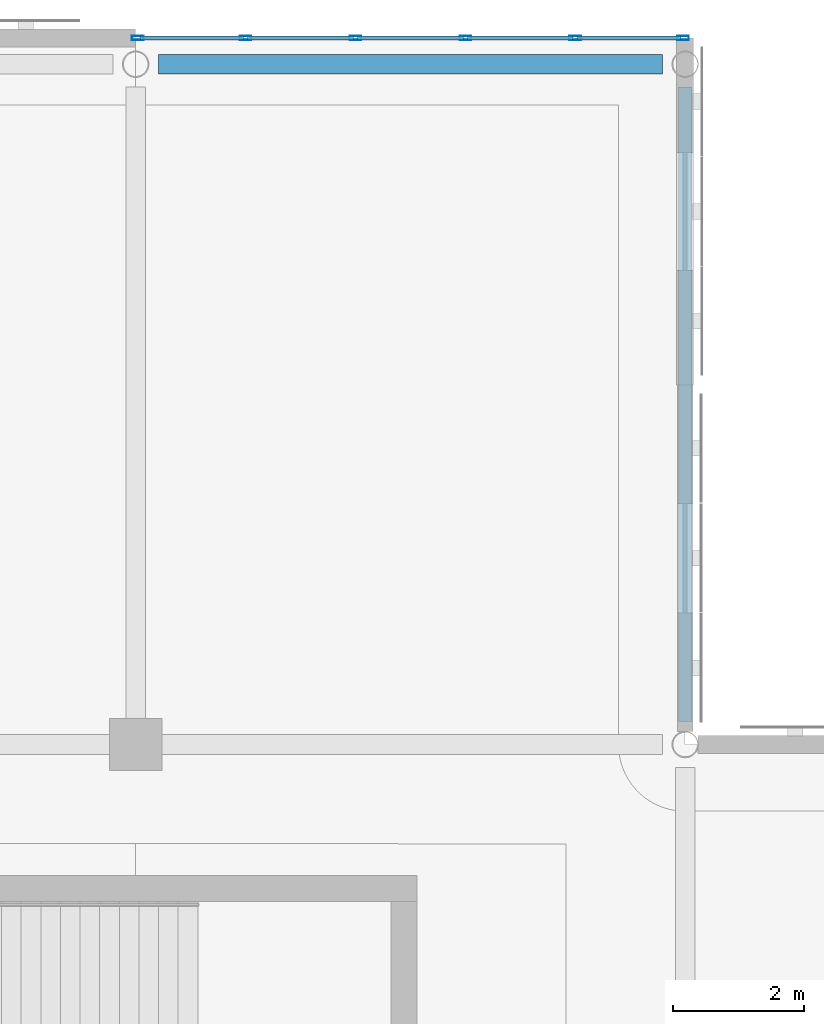
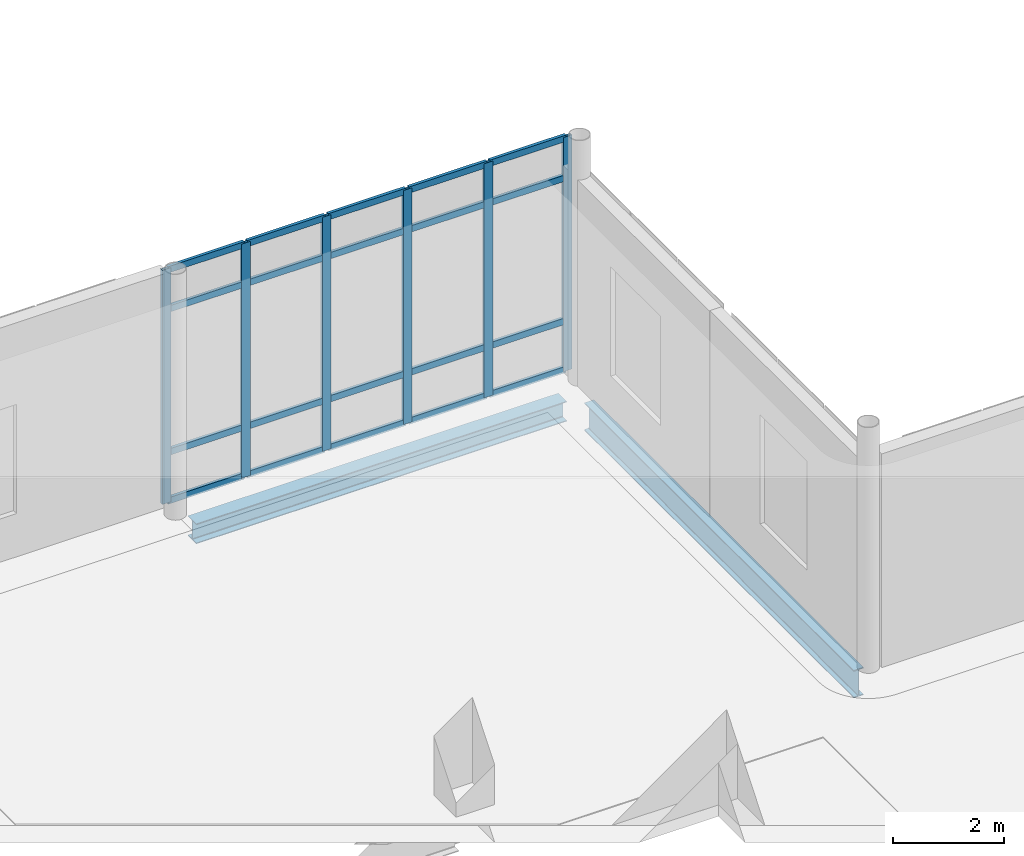
# One storey, part 32 of 110: 26 members, 2 beams, 1 element without a shape of its own.
"""IFC4 building model written with IfcOpenShell, lengths in metres."""

from ifc_helpers import new_model, si_unit, direction, frame, origin, origin_2d, place, context, subcontext, project, spatial, hollow_rectangle, i_section, extrude, material, layer, layer_set, material_profile, profile_set, type_object, element, aggregate, save


model = new_model("IFC4")

# Units and contexts
model_context = context("Model", 3, precision=1e-05, world=origin(), true_north=direction((0.0, 1.0)))
body_context = subcontext(model_context, "Body", "Model", "MODEL_VIEW")
ifc_project = project(units=[si_unit("LENGTHUNIT", "METRE"), si_unit("AREAUNIT", "SQUARE_METRE"), si_unit("VOLUMEUNIT", "CUBIC_METRE"), si_unit("PLANEANGLEUNIT", "RADIAN"), si_unit("MASSUNIT", "GRAM", prefix="KILO"), si_unit("THERMODYNAMICTEMPERATUREUNIT", "KELVIN")], contexts=[model_context])

# Site, building, storey
site_placement = place(None, origin())
site = spatial("IfcSite", under=ifc_project, at=site_placement, CompositionType="ELEMENT")
building_placement = place(site_placement, origin())
building = spatial("IfcBuilding", under=site, at=building_placement, Name="Lustrewick Department Store", CompositionType="ELEMENT")
storey_placement = place(building_placement, frame((0.0, 0.0, 6.0)))
storey = spatial("IfcBuildingStorey", under=building, at=storey_placement, Name="L02", CompositionType="ELEMENT", Elevation=6.0)

# Curtain wall, members
ifc_material_1 = material(Name="Thermally broken aluminium 6063-T5", Category="aluminium")
ifc_layer = layer(ifc_material_1, 0.179931640625, Name="Thermally broken aluminium 6063-T5")
ifc_layer_set = layer_set([ifc_layer], Name="Thermally broken aluminium 6063-T5")
curtain_wall_type = type_object("IfcCurtainWallType", Name="CW02", PredefinedType="NOTDEFINED", material=ifc_layer_set)
curtain_wall_placement = place(storey_placement, origin())
curtain_wall = element("IfcCurtainWall", 1, at=curtain_wall_placement, inside=storey, type_object=curtain_wall_type, Name="L02 V2 Curtain Wall CW02", PredefinedType="NOTDEFINED")
ifc_material_profile_1 = material_profile(ifc_material_1, hollow_rectangle(XDim=0.06494140625, YDim=0.179931640625, WallThickness=0.00390625, at=origin_2d()), Name="ALU-M 65x180x4")
ifc_profile_set_1 = profile_set([ifc_material_profile_1], Name="Thermally broken aluminium 6063-T5")
member_type_1 = type_object("IfcMemberType", Name="CW02-M1", PredefinedType="MULLION", material=ifc_profile_set_1)
member_1_placement = place(storey_placement, frame((92.367431640625, 111.60009765625, 0.0), z_axis=(0.0, 0.0, 1.0), x_axis=(0.0, -1.0, 0.0)))
member_1 = element("IfcMember", 2, at=member_1_placement, type_object=member_type_1, Name="CW02 mullion 1", PredefinedType="MULLION", context=body_context, shape_type="SweptSolid", body=[
    extrude(hollow_rectangle(XDim=0.06494140625, YDim=0.179931640625, WallThickness=0.00390625, at=origin_2d()), origin(), (0.0, 0.0, 1.0), 5.14501953125),
])
member_2_placement = place(storey_placement, frame((90.719970703125, 111.60009765625, 0.0), z_axis=(0.0, 0.0, 1.0), x_axis=(0.0, -1.0, 0.0)))
member_2 = element("IfcMember", 3, at=member_2_placement, type_object=member_type_1, Name="CW02 mullion 2", PredefinedType="MULLION", context=body_context, shape_type="SweptSolid", body=[
    extrude(hollow_rectangle(XDim=0.06494140625, YDim=0.179931640625, WallThickness=0.00390625, at=origin_2d()), origin(), (0.0, 0.0, 1.0), 5.14501953125),
])
member_3_placement = place(storey_placement, frame((89.0400390625, 111.60009765625, 0.0), z_axis=(0.0, 0.0, 1.0), x_axis=(0.0, -1.0, 0.0)))
member_3 = element("IfcMember", 4, at=member_3_placement, type_object=member_type_1, Name="CW02 mullion 3", PredefinedType="MULLION", context=body_context, shape_type="SweptSolid", body=[
    extrude(hollow_rectangle(XDim=0.06494140625, YDim=0.179931640625, WallThickness=0.00390625, at=origin_2d()), origin(), (0.0, 0.0, 1.0), 5.14501953125),
])
member_4_placement = place(storey_placement, frame((87.360107421875, 111.60009765625, 0.0), z_axis=(0.0, 0.0, 1.0), x_axis=(0.0, -1.0, 0.0)))
member_4 = element("IfcMember", 5, at=member_4_placement, type_object=member_type_1, Name="CW02 mullion 4", PredefinedType="MULLION", context=body_context, shape_type="SweptSolid", body=[
    extrude(hollow_rectangle(XDim=0.06494140625, YDim=0.179931640625, WallThickness=0.00390625, at=origin_2d()), origin(), (0.0, 0.0, 1.0), 5.14501953125),
])
member_5_placement = place(storey_placement, frame((85.679931640625, 111.60009765625, 0.0), z_axis=(0.0, 0.0, 1.0), x_axis=(0.0, -1.0, 0.0)))
member_5 = element("IfcMember", 6, at=member_5_placement, type_object=member_type_1, Name="CW02 mullion 5", PredefinedType="MULLION", context=body_context, shape_type="SweptSolid", body=[
    extrude(hollow_rectangle(XDim=0.06494140625, YDim=0.179931640625, WallThickness=0.00390625, at=origin_2d()), origin(), (0.0, 0.0, 1.0), 5.14501953125),
])
member_6_placement = place(storey_placement, frame((84.032470703125, 111.60009765625, 0.0), z_axis=(0.0, 0.0, 1.0), x_axis=(0.0, -1.0, 0.0)))
member_6 = element("IfcMember", 7, at=member_6_placement, type_object=member_type_1, Name="CW02 mullion 6", PredefinedType="MULLION", context=body_context, shape_type="SweptSolid", body=[
    extrude(hollow_rectangle(XDim=0.06494140625, YDim=0.179931640625, WallThickness=0.00390625, at=origin_2d()), origin(), (0.0, 0.0, 1.0), 5.14501953125),
])
ifc_material_profile_2 = material_profile(ifc_material_1, hollow_rectangle(XDim=0.06494140625, YDim=0.139892578125, WallThickness=0.00341796875, at=origin_2d()), Name="ALU-T 65x140x3.5")
ifc_profile_set_2 = profile_set([ifc_material_profile_2], Name="Thermally broken aluminium 6063-T5")
member_type_2 = type_object("IfcMemberType", Name="CW02-T1", PredefinedType="USERDEFINED", material=ifc_profile_set_2)
member_7_placement = place(storey_placement, frame((92.3349609375, 111.60009765625, 0.032470703125), z_axis=(-1.0, 0.0, 0.0), x_axis=(0.0, -1.0, 0.0)))
member_7 = element("IfcMember", 8, at=member_7_placement, type_object=member_type_2, Name="CW02 transom 1.1", ObjectType="TRANSOM", PredefinedType="USERDEFINED", context=body_context, shape_type="SweptSolid", body=[
    extrude(hollow_rectangle(XDim=0.06494140625, YDim=0.139892578125, WallThickness=0.00341796875, at=origin_2d()), origin(), (0.0, 0.0, 1.0), 1.58251953125),
])
member_8_placement = place(storey_placement, frame((92.3349609375, 111.60009765625, 1.10009765625), z_axis=(-1.0, 0.0, 0.0), x_axis=(0.0, -1.0, 0.0)))
member_8 = element("IfcMember", 9, at=member_8_placement, type_object=member_type_2, Name="CW02 transom 1.2", ObjectType="TRANSOM", PredefinedType="USERDEFINED", context=body_context, shape_type="SweptSolid", body=[
    extrude(hollow_rectangle(XDim=0.06494140625, YDim=0.139892578125, WallThickness=0.00341796875, at=origin_2d()), origin(), (0.0, 0.0, 1.0), 1.58251953125),
])
member_9_placement = place(storey_placement, frame((92.3349609375, 111.60009765625, 4.2451171875), z_axis=(-1.0, 0.0, 0.0), x_axis=(0.0, -1.0, 0.0)))
member_9 = element("IfcMember", 10, at=member_9_placement, type_object=member_type_2, Name="CW02 transom 1.3", ObjectType="TRANSOM", PredefinedType="USERDEFINED", context=body_context, shape_type="SweptSolid", body=[
    extrude(hollow_rectangle(XDim=0.06494140625, YDim=0.139892578125, WallThickness=0.00341796875, at=origin_2d()), origin(), (0.0, 0.0, 1.0), 1.58251953125),
])
member_10_placement = place(storey_placement, frame((92.3349609375, 111.60009765625, 5.112548828125), z_axis=(-1.0, 0.0, 0.0), x_axis=(0.0, -1.0, 0.0)))
member_10 = element("IfcMember", 11, at=member_10_placement, type_object=member_type_2, Name="CW02 transom 1.4", ObjectType="TRANSOM", PredefinedType="USERDEFINED", context=body_context, shape_type="SweptSolid", body=[
    extrude(hollow_rectangle(XDim=0.06494140625, YDim=0.139892578125, WallThickness=0.00341796875, at=origin_2d()), origin(), (0.0, 0.0, 1.0), 1.58251953125),
])
member_11_placement = place(storey_placement, frame((90.6875, 111.60009765625, 0.032470703125), z_axis=(-1.0, 0.0, 0.0), x_axis=(0.0, -1.0, 0.0)))
member_11 = element("IfcMember", 12, at=member_11_placement, type_object=member_type_2, Name="CW02 transom 2.1", ObjectType="TRANSOM", PredefinedType="USERDEFINED", context=body_context, shape_type="SweptSolid", body=[
    extrude(hollow_rectangle(XDim=0.06494140625, YDim=0.139892578125, WallThickness=0.00341796875, at=origin_2d()), origin(), (0.0, 0.0, 1.0), 1.614990234375),
])
member_12_placement = place(storey_placement, frame((90.6875, 111.60009765625, 1.10009765625), z_axis=(-1.0, 0.0, 0.0), x_axis=(0.0, -1.0, 0.0)))
member_12 = element("IfcMember", 13, at=member_12_placement, type_object=member_type_2, Name="CW02 transom 2.2", ObjectType="TRANSOM", PredefinedType="USERDEFINED", context=body_context, shape_type="SweptSolid", body=[
    extrude(hollow_rectangle(XDim=0.06494140625, YDim=0.139892578125, WallThickness=0.00341796875, at=origin_2d()), origin(), (0.0, 0.0, 1.0), 1.614990234375),
])
member_13_placement = place(storey_placement, frame((90.6875, 111.60009765625, 4.2451171875), z_axis=(-1.0, 0.0, 0.0), x_axis=(0.0, -1.0, 0.0)))
member_13 = element("IfcMember", 14, at=member_13_placement, type_object=member_type_2, Name="CW02 transom 2.3", ObjectType="TRANSOM", PredefinedType="USERDEFINED", context=body_context, shape_type="SweptSolid", body=[
    extrude(hollow_rectangle(XDim=0.06494140625, YDim=0.139892578125, WallThickness=0.00341796875, at=origin_2d()), origin(), (0.0, 0.0, 1.0), 1.614990234375),
])
member_14_placement = place(storey_placement, frame((90.6875, 111.60009765625, 5.112548828125), z_axis=(-1.0, 0.0, 0.0), x_axis=(0.0, -1.0, 0.0)))
member_14 = element("IfcMember", 15, at=member_14_placement, type_object=member_type_2, Name="CW02 transom 2.4", ObjectType="TRANSOM", PredefinedType="USERDEFINED", context=body_context, shape_type="SweptSolid", body=[
    extrude(hollow_rectangle(XDim=0.06494140625, YDim=0.139892578125, WallThickness=0.00341796875, at=origin_2d()), origin(), (0.0, 0.0, 1.0), 1.614990234375),
])
member_15_placement = place(storey_placement, frame((89.007568359375, 111.60009765625, 0.032470703125), z_axis=(-1.0, 0.0, 0.0), x_axis=(0.0, -1.0, 0.0)))
member_15 = element("IfcMember", 16, at=member_15_placement, type_object=member_type_2, Name="CW02 transom 3.1", ObjectType="TRANSOM", PredefinedType="USERDEFINED", context=body_context, shape_type="SweptSolid", body=[
    extrude(hollow_rectangle(XDim=0.06494140625, YDim=0.139892578125, WallThickness=0.00341796875, at=origin_2d()), origin(), (0.0, 0.0, 1.0), 1.614990234375),
])
member_16_placement = place(storey_placement, frame((89.007568359375, 111.60009765625, 1.10009765625), z_axis=(-1.0, 0.0, 0.0), x_axis=(0.0, -1.0, 0.0)))
member_16 = element("IfcMember", 17, at=member_16_placement, type_object=member_type_2, Name="CW02 transom 3.2", ObjectType="TRANSOM", PredefinedType="USERDEFINED", context=body_context, shape_type="SweptSolid", body=[
    extrude(hollow_rectangle(XDim=0.06494140625, YDim=0.139892578125, WallThickness=0.00341796875, at=origin_2d()), origin(), (0.0, 0.0, 1.0), 1.614990234375),
])
member_17_placement = place(storey_placement, frame((89.007568359375, 111.60009765625, 4.2451171875), z_axis=(-1.0, 0.0, 0.0), x_axis=(0.0, -1.0, 0.0)))
member_17 = element("IfcMember", 18, at=member_17_placement, type_object=member_type_2, Name="CW02 transom 3.3", ObjectType="TRANSOM", PredefinedType="USERDEFINED", context=body_context, shape_type="SweptSolid", body=[
    extrude(hollow_rectangle(XDim=0.06494140625, YDim=0.139892578125, WallThickness=0.00341796875, at=origin_2d()), origin(), (0.0, 0.0, 1.0), 1.614990234375),
])
member_18_placement = place(storey_placement, frame((89.007568359375, 111.60009765625, 5.112548828125), z_axis=(-1.0, 0.0, 0.0), x_axis=(0.0, -1.0, 0.0)))
member_18 = element("IfcMember", 19, at=member_18_placement, type_object=member_type_2, Name="CW02 transom 3.4", ObjectType="TRANSOM", PredefinedType="USERDEFINED", context=body_context, shape_type="SweptSolid", body=[
    extrude(hollow_rectangle(XDim=0.06494140625, YDim=0.139892578125, WallThickness=0.00341796875, at=origin_2d()), origin(), (0.0, 0.0, 1.0), 1.614990234375),
])
member_19_placement = place(storey_placement, frame((87.327392578125, 111.60009765625, 0.032470703125), z_axis=(-1.0, 0.0, 0.0), x_axis=(0.0, -1.0, 0.0)))
member_19 = element("IfcMember", 20, at=member_19_placement, type_object=member_type_2, Name="CW02 transom 4.1", ObjectType="TRANSOM", PredefinedType="USERDEFINED", context=body_context, shape_type="SweptSolid", body=[
    extrude(hollow_rectangle(XDim=0.06494140625, YDim=0.139892578125, WallThickness=0.00341796875, at=origin_2d()), origin(), (0.0, 0.0, 1.0), 1.614990234375),
])
member_20_placement = place(storey_placement, frame((87.327392578125, 111.60009765625, 1.10009765625), z_axis=(-1.0, 0.0, 0.0), x_axis=(0.0, -1.0, 0.0)))
member_20 = element("IfcMember", 21, at=member_20_placement, type_object=member_type_2, Name="CW02 transom 4.2", ObjectType="TRANSOM", PredefinedType="USERDEFINED", context=body_context, shape_type="SweptSolid", body=[
    extrude(hollow_rectangle(XDim=0.06494140625, YDim=0.139892578125, WallThickness=0.00341796875, at=origin_2d()), origin(), (0.0, 0.0, 1.0), 1.614990234375),
])
member_21_placement = place(storey_placement, frame((87.327392578125, 111.60009765625, 4.2451171875), z_axis=(-1.0, 0.0, 0.0), x_axis=(0.0, -1.0, 0.0)))
member_21 = element("IfcMember", 22, at=member_21_placement, type_object=member_type_2, Name="CW02 transom 4.3", ObjectType="TRANSOM", PredefinedType="USERDEFINED", context=body_context, shape_type="SweptSolid", body=[
    extrude(hollow_rectangle(XDim=0.06494140625, YDim=0.139892578125, WallThickness=0.00341796875, at=origin_2d()), origin(), (0.0, 0.0, 1.0), 1.614990234375),
])
member_22_placement = place(storey_placement, frame((87.327392578125, 111.60009765625, 5.112548828125), z_axis=(-1.0, 0.0, 0.0), x_axis=(0.0, -1.0, 0.0)))
member_22 = element("IfcMember", 23, at=member_22_placement, type_object=member_type_2, Name="CW02 transom 4.4", ObjectType="TRANSOM", PredefinedType="USERDEFINED", context=body_context, shape_type="SweptSolid", body=[
    extrude(hollow_rectangle(XDim=0.06494140625, YDim=0.139892578125, WallThickness=0.00341796875, at=origin_2d()), origin(), (0.0, 0.0, 1.0), 1.614990234375),
])
member_23_placement = place(storey_placement, frame((85.6474609375, 111.60009765625, 0.032470703125), z_axis=(-1.0, 0.0, 0.0), x_axis=(0.0, -1.0, 0.0)))
member_23 = element("IfcMember", 24, at=member_23_placement, type_object=member_type_2, Name="CW02 transom 5.1", ObjectType="TRANSOM", PredefinedType="USERDEFINED", context=body_context, shape_type="SweptSolid", body=[
    extrude(hollow_rectangle(XDim=0.06494140625, YDim=0.139892578125, WallThickness=0.00341796875, at=origin_2d()), origin(), (0.0, 0.0, 1.0), 1.58251953125),
])
member_24_placement = place(storey_placement, frame((85.6474609375, 111.60009765625, 1.10009765625), z_axis=(-1.0, 0.0, 0.0), x_axis=(0.0, -1.0, 0.0)))
member_24 = element("IfcMember", 25, at=member_24_placement, type_object=member_type_2, Name="CW02 transom 5.2", ObjectType="TRANSOM", PredefinedType="USERDEFINED", context=body_context, shape_type="SweptSolid", body=[
    extrude(hollow_rectangle(XDim=0.06494140625, YDim=0.139892578125, WallThickness=0.00341796875, at=origin_2d()), origin(), (0.0, 0.0, 1.0), 1.58251953125),
])
member_25_placement = place(storey_placement, frame((85.6474609375, 111.60009765625, 4.2451171875), z_axis=(-1.0, 0.0, 0.0), x_axis=(0.0, -1.0, 0.0)))
member_25 = element("IfcMember", 26, at=member_25_placement, type_object=member_type_2, Name="CW02 transom 5.3", ObjectType="TRANSOM", PredefinedType="USERDEFINED", context=body_context, shape_type="SweptSolid", body=[
    extrude(hollow_rectangle(XDim=0.06494140625, YDim=0.139892578125, WallThickness=0.00341796875, at=origin_2d()), origin(), (0.0, 0.0, 1.0), 1.58251953125),
])
member_26_placement = place(storey_placement, frame((85.6474609375, 111.60009765625, 5.112548828125), z_axis=(-1.0, 0.0, 0.0), x_axis=(0.0, -1.0, 0.0)))
member_26 = element("IfcMember", 27, at=member_26_placement, type_object=member_type_2, Name="CW02 transom 5.4", ObjectType="TRANSOM", PredefinedType="USERDEFINED", context=body_context, shape_type="SweptSolid", body=[
    extrude(hollow_rectangle(XDim=0.06494140625, YDim=0.139892578125, WallThickness=0.00341796875, at=origin_2d()), origin(), (0.0, 0.0, 1.0), 1.58251953125),
])
aggregate(curtain_wall, [member_1, member_2, member_3, member_4, member_5, member_6, member_7, member_8, member_9, member_10, member_11, member_12, member_13, member_14, member_15, member_16, member_17, member_18, member_19, member_20, member_21, member_22, member_23, member_24, member_25, member_26])

# Beams
ifc_material_2 = material(Name="Structural steel Q355B", Category="steel")
ifc_material_profile_3 = material_profile(ifc_material_2, i_section(OverallWidth=0.200927734375, OverallDepth=0.60595703125, WebThickness=0.011962890625, FlangeThickness=0.02001953125, FilletRadius=0.01806640625, at=origin_2d()), Name="HN 606x201x12x20")
ifc_profile_set_3 = profile_set([ifc_material_profile_3], Name="Structural steel Q355B")
beam_type_1 = type_object("IfcBeamType", Name="G13", PredefinedType="BEAM", material=ifc_profile_set_3)
beam_1_placement = place(storey_placement, frame((92.39990234375, 101.14990234375, -0.55810546875), z_axis=(0.0, 1.0, 0.0), x_axis=(-1.0, 0.0, 0.0)))
element("IfcBeam", 28, at=beam_1_placement, inside=storey, type_object=beam_type_1, Name="L02 V2 Girder G13", PredefinedType="BEAM", context=body_context, shape_type="SweptSolid", body=[
    extrude(i_section(OverallWidth=0.200927734375, OverallDepth=0.60595703125, WebThickness=0.011962890625, FlangeThickness=0.02001953125, FilletRadius=0.01806640625, at=origin_2d()), origin(), (0.0, 0.0, 1.0), 9.7001953125),
])
ifc_material_profile_4 = material_profile(ifc_material_2, i_section(OverallWidth=0.300048828125, OverallDepth=0.43994140625, WebThickness=0.010986328125, FlangeThickness=0.01806640625, FilletRadius=0.02001953125, at=origin_2d()), Name="HM 440x300x11x18")
ifc_profile_set_4 = profile_set([ifc_material_profile_4], Name="Structural steel Q355B")
beam_type_2 = type_object("IfcBeamType", Name="SP02", PredefinedType="SPANDREL", material=ifc_profile_set_4)
beam_2_placement = place(storey_placement, frame((84.35009765625, 111.199951171875, -0.47509765625), z_axis=(1.0, 0.0, 0.0), x_axis=(0.0, 1.0, 0.0)))
element("IfcBeam", 29, at=beam_2_placement, inside=storey, type_object=beam_type_2, Name="L02 V2 Girder SP02", PredefinedType="SPANDREL", context=body_context, shape_type="SweptSolid", body=[
    extrude(i_section(OverallWidth=0.300048828125, OverallDepth=0.43994140625, WebThickness=0.010986328125, FlangeThickness=0.01806640625, FilletRadius=0.02001953125, at=origin_2d()), origin(), (0.0, 0.0, 1.0), 7.699951171875),
])

save(model, "model.ifc")
